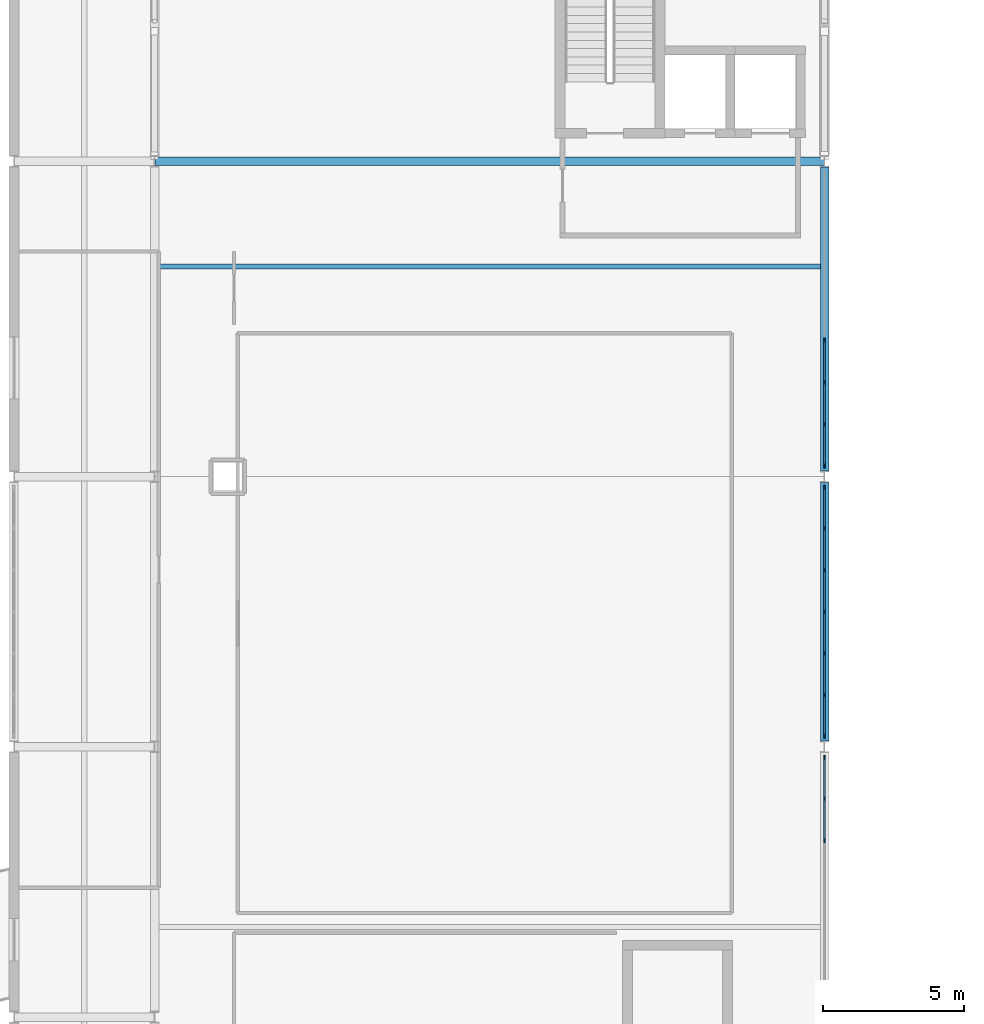
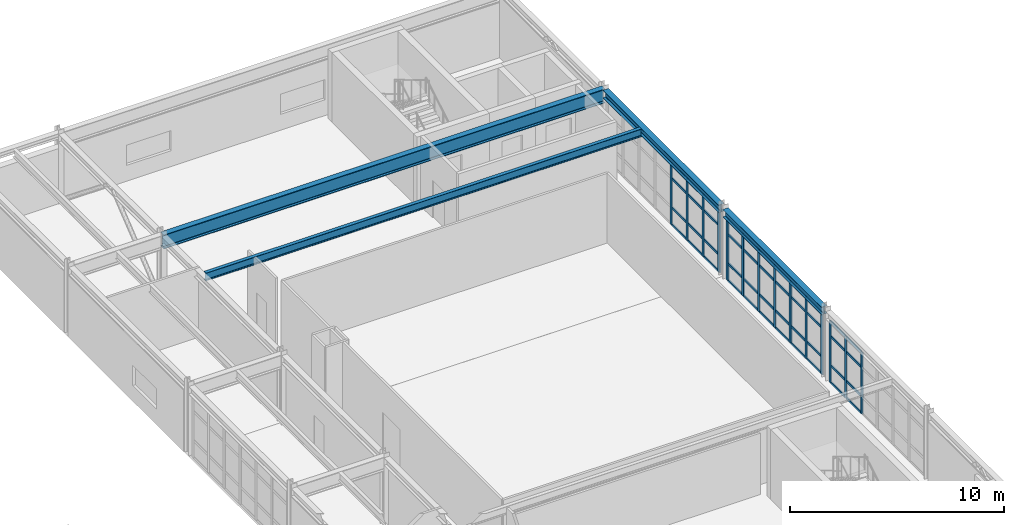
# One storey, part 41 of 88: 58 members, 4 beams, 3 elements without a shape of their own.
"""IFC4 building model written with IfcOpenShell, lengths in metres."""

from ifc_helpers import new_model, si_unit, direction, frame, origin, origin_2d, place, context, subcontext, project, spatial, rectangle, i_section, extrude, material, layer, layer_set, material_profile, profile_set, type_object, element, aggregate, save


model = new_model("IFC4")

# Units and contexts
model_context = context("Model", 3, precision=1e-05, world=origin(), true_north=direction((0.0, 1.0)))
body_context = subcontext(model_context, "Body", "Model", "MODEL_VIEW")
ifc_project = project(units=[si_unit("LENGTHUNIT", "METRE"), si_unit("AREAUNIT", "SQUARE_METRE"), si_unit("VOLUMEUNIT", "CUBIC_METRE"), si_unit("PLANEANGLEUNIT", "RADIAN"), si_unit("MASSUNIT", "GRAM", prefix="KILO")], contexts=[model_context])

# Site, building, storey
site_placement = place(None, origin())
site = spatial("IfcSite", under=ifc_project, at=site_placement, CompositionType="ELEMENT")
building_placement = place(site_placement, origin())
building = spatial("IfcBuilding", under=site, at=building_placement, Name="Nordkorset Police Headquarters", CompositionType="ELEMENT")
storey_placement = place(building_placement, frame((0.0, 0.0, 9.449951171875)))
storey = spatial("IfcBuildingStorey", under=building, at=storey_placement, Name="L02", CompositionType="ELEMENT", Elevation=9.449951171875)

# Beam
ifc_material_1 = material(Name="Steel S355J2", Category="steel")
ifc_material_profile_1 = material_profile(ifc_material_1, i_section(OverallWidth=0.18994140625, OverallDepth=0.449951171875, WebThickness=0.009521484375, FlangeThickness=0.0146484375, FilletRadius=0.02099609375, at=origin_2d()), Name="IPE 450")
ifc_profile_set_1 = profile_set([ifc_material_profile_1], Name="Steel S355J2")
beam_type_1 = type_object("IfcBeamType", Name="Beam_IPE_450", PredefinedType="BEAM", material=ifc_profile_set_1)
beam_1_placement = place(storey_placement, frame((91.550048828125, 84.2666015625, 3.7451171875), z_axis=(1.0, 0.0, 0.0), x_axis=(0.0, 1.0, 0.0)))
element("IfcBeam", 1, at=beam_1_placement, inside=storey, type_object=beam_type_1, Name="Composite Floor Beam V5 L02 1-3-2", PredefinedType="BEAM", context=body_context, shape_type="SweptSolid", body=[
    extrude(i_section(OverallWidth=0.18994140625, OverallDepth=0.449951171875, WebThickness=0.009521484375, FlangeThickness=0.0146484375, FilletRadius=0.02099609375, at=origin_2d()), origin(), (0.0, 0.0, 1.0), 23.5),
])

# Curtain wall, members
ifc_material_2 = material(Name="Aluminium alloy AW-6060", Category="aluminium")
ifc_layer_1 = layer(ifc_material_2, 0.179931640625, Name="Aluminium alloy AW-6060")
ifc_layer_set_1 = layer_set([ifc_layer_1], Name="Aluminium alloy AW-6060")
curtain_wall_type_1 = type_object("IfcCurtainWallType", Name="CW_Unit_888x351", PredefinedType="USERDEFINED", material=ifc_layer_set_1)
curtain_wall_1_placement = place(storey_placement, origin())
curtain_wall_1 = element("IfcCurtainWall", 2, at=curtain_wall_1_placement, inside=storey, type_object=curtain_wall_type_1, Name="Unitised Curtain Wall L02 V5E-1", ObjectType="UNITISED CURTAIN WALL", PredefinedType="USERDEFINED")
ifc_material_3 = material(Name="Aluminium alloy AW-6060", Category="aluminium")
ifc_material_profile_2 = material_profile(ifc_material_3, rectangle(XDim=0.06494140625, YDim=0.179931640625, at=origin_2d()), Name="ALU MULL 65x180")
ifc_profile_set_2 = profile_set([ifc_material_profile_2], Name="Aluminium alloy AW-6060")
member_type_1 = type_object("IfcMemberType", Name="CW_Mullion_65x180", PredefinedType="MULLION", material=ifc_profile_set_2)
member_1_placement = place(storey_placement, frame((115.199951171875, 63.8798828125, 0.0), z_axis=(0.0, 0.0, 1.0), x_axis=(-1.0, 0.0, 0.0)))
member_1 = element("IfcMember", 3, at=member_1_placement, type_object=member_type_1, Name="CW-58 mullion 5", PredefinedType="MULLION", context=body_context, shape_type="SweptSolid", body=[
    extrude(rectangle(XDim=0.06494140625, YDim=0.179931640625, at=origin_2d()), origin(), (0.0, 0.0, 1.0), 3.510009765625),
])
member_2_placement = place(storey_placement, frame((115.199951171875, 65.360107421875, 0.0), z_axis=(0.0, 0.0, 1.0), x_axis=(-1.0, 0.0, 0.0)))
member_2 = element("IfcMember", 4, at=member_2_placement, type_object=member_type_1, Name="CW-58 mullion 6", PredefinedType="MULLION", context=body_context, shape_type="SweptSolid", body=[
    extrude(rectangle(XDim=0.06494140625, YDim=0.179931640625, at=origin_2d()), origin(), (0.0, 0.0, 1.0), 3.510009765625),
])
member_3_placement = place(storey_placement, frame((115.199951171875, 66.8076171875, 0.0), z_axis=(0.0, 0.0, 1.0), x_axis=(-1.0, 0.0, 0.0)))
member_3 = element("IfcMember", 5, at=member_3_placement, type_object=member_type_1, Name="CW-58 mullion 7", PredefinedType="MULLION", context=body_context, shape_type="SweptSolid", body=[
    extrude(rectangle(XDim=0.06494140625, YDim=0.179931640625, at=origin_2d()), origin(), (0.0, 0.0, 1.0), 3.510009765625),
])

curtain_wall_2_placement = place(storey_placement, origin())
curtain_wall_2 = element("IfcCurtainWall", 6, at=curtain_wall_2_placement, inside=storey, type_object=curtain_wall_type_1, Name="Unitised Curtain Wall L02 V5E-2", ObjectType="UNITISED CURTAIN WALL", PredefinedType="USERDEFINED")
member_4_placement = place(storey_placement, frame((115.199951171875, 67.592529296875, 0.0), z_axis=(0.0, 0.0, 1.0), x_axis=(-1.0, 0.0, 0.0)))
member_4 = element("IfcMember", 7, at=member_4_placement, type_object=member_type_1, Name="CW-58 mullion 1", PredefinedType="MULLION", context=body_context, shape_type="SweptSolid", body=[
    extrude(rectangle(XDim=0.06494140625, YDim=0.179931640625, at=origin_2d()), origin(), (0.0, 0.0, 1.0), 3.510009765625),
])
member_5_placement = place(storey_placement, frame((115.199951171875, 69.0400390625, 0.0), z_axis=(0.0, 0.0, 1.0), x_axis=(-1.0, 0.0, 0.0)))
member_5 = element("IfcMember", 8, at=member_5_placement, type_object=member_type_1, Name="CW-58 mullion 2", PredefinedType="MULLION", context=body_context, shape_type="SweptSolid", body=[
    extrude(rectangle(XDim=0.06494140625, YDim=0.179931640625, at=origin_2d()), origin(), (0.0, 0.0, 1.0), 3.510009765625),
])
member_6_placement = place(storey_placement, frame((115.199951171875, 70.52001953125, 0.0), z_axis=(0.0, 0.0, 1.0), x_axis=(-1.0, 0.0, 0.0)))
member_6 = element("IfcMember", 9, at=member_6_placement, type_object=member_type_1, Name="CW-58 mullion 3", PredefinedType="MULLION", context=body_context, shape_type="SweptSolid", body=[
    extrude(rectangle(XDim=0.06494140625, YDim=0.179931640625, at=origin_2d()), origin(), (0.0, 0.0, 1.0), 3.510009765625),
])
member_7_placement = place(storey_placement, frame((115.199951171875, 72.0, 0.0), z_axis=(0.0, 0.0, 1.0), x_axis=(-1.0, 0.0, 0.0)))
member_7 = element("IfcMember", 10, at=member_7_placement, type_object=member_type_1, Name="CW-58 mullion 4", PredefinedType="MULLION", context=body_context, shape_type="SweptSolid", body=[
    extrude(rectangle(XDim=0.06494140625, YDim=0.179931640625, at=origin_2d()), origin(), (0.0, 0.0, 1.0), 3.510009765625),
])
member_8_placement = place(storey_placement, frame((115.199951171875, 73.47998046875, 0.0), z_axis=(0.0, 0.0, 1.0), x_axis=(-1.0, 0.0, 0.0)))
member_8 = element("IfcMember", 11, at=member_8_placement, type_object=member_type_1, Name="CW-58 mullion 5", PredefinedType="MULLION", context=body_context, shape_type="SweptSolid", body=[
    extrude(rectangle(XDim=0.06494140625, YDim=0.179931640625, at=origin_2d()), origin(), (0.0, 0.0, 1.0), 3.510009765625),
])
member_9_placement = place(storey_placement, frame((115.199951171875, 74.9599609375, 0.0), z_axis=(0.0, 0.0, 1.0), x_axis=(-1.0, 0.0, 0.0)))
member_9 = element("IfcMember", 12, at=member_9_placement, type_object=member_type_1, Name="CW-58 mullion 6", PredefinedType="MULLION", context=body_context, shape_type="SweptSolid", body=[
    extrude(rectangle(XDim=0.06494140625, YDim=0.179931640625, at=origin_2d()), origin(), (0.0, 0.0, 1.0), 3.510009765625),
])
member_10_placement = place(storey_placement, frame((115.199951171875, 76.407470703125, 0.0), z_axis=(0.0, 0.0, 1.0), x_axis=(-1.0, 0.0, 0.0)))
member_10 = element("IfcMember", 13, at=member_10_placement, type_object=member_type_1, Name="CW-58 mullion 7", PredefinedType="MULLION", context=body_context, shape_type="SweptSolid", body=[
    extrude(rectangle(XDim=0.06494140625, YDim=0.179931640625, at=origin_2d()), origin(), (0.0, 0.0, 1.0), 3.510009765625),
])

ifc_material_4 = material(Name="Aluminium alloy AW-6060", Category="aluminium")
ifc_layer_2 = layer(ifc_material_4, 0.179931640625, Name="Aluminium alloy AW-6060")
ifc_layer_set_2 = layer_set([ifc_layer_2], Name="Aluminium alloy AW-6060")
curtain_wall_type_2 = type_object("IfcCurtainWallType", Name="CW_Unit_1048x351", PredefinedType="USERDEFINED", material=ifc_layer_set_2)
curtain_wall_3_placement = place(storey_placement, origin())
curtain_wall_3 = element("IfcCurtainWall", 14, at=curtain_wall_3_placement, inside=storey, type_object=curtain_wall_type_2, Name="Unitised Curtain Wall L02 V5E-3", ObjectType="UNITISED CURTAIN WALL", PredefinedType="USERDEFINED")
member_11_placement = place(storey_placement, frame((115.199951171875, 77.1923828125, 0.0), z_axis=(0.0, 0.0, 1.0), x_axis=(-1.0, 0.0, 0.0)))
member_11 = element("IfcMember", 15, at=member_11_placement, type_object=member_type_1, Name="CW-72 mullion 1", PredefinedType="MULLION", context=body_context, shape_type="SweptSolid", body=[
    extrude(rectangle(XDim=0.06494140625, YDim=0.179931640625, at=origin_2d()), origin(), (0.0, 0.0, 1.0), 3.510009765625),
])
member_12_placement = place(storey_placement, frame((115.199951171875, 78.6572265625, 0.0), z_axis=(0.0, 0.0, 1.0), x_axis=(-1.0, 0.0, 0.0)))
member_12 = element("IfcMember", 16, at=member_12_placement, type_object=member_type_1, Name="CW-72 mullion 2", PredefinedType="MULLION", context=body_context, shape_type="SweptSolid", body=[
    extrude(rectangle(XDim=0.06494140625, YDim=0.179931640625, at=origin_2d()), origin(), (0.0, 0.0, 1.0), 3.510009765625),
])
member_13_placement = place(storey_placement, frame((115.199951171875, 80.154296875, 0.0), z_axis=(0.0, 0.0, 1.0), x_axis=(-1.0, 0.0, 0.0)))
member_13 = element("IfcMember", 17, at=member_13_placement, type_object=member_type_1, Name="CW-72 mullion 3", PredefinedType="MULLION", context=body_context, shape_type="SweptSolid", body=[
    extrude(rectangle(XDim=0.06494140625, YDim=0.179931640625, at=origin_2d()), origin(), (0.0, 0.0, 1.0), 3.510009765625),
])
member_14_placement = place(storey_placement, frame((115.199951171875, 81.6513671875, 0.0), z_axis=(0.0, 0.0, 1.0), x_axis=(-1.0, 0.0, 0.0)))
member_14 = element("IfcMember", 18, at=member_14_placement, type_object=member_type_1, Name="CW-72 mullion 4", PredefinedType="MULLION", context=body_context, shape_type="SweptSolid", body=[
    extrude(rectangle(XDim=0.06494140625, YDim=0.179931640625, at=origin_2d()), origin(), (0.0, 0.0, 1.0), 3.510009765625),
])

# Member
ifc_material_5 = material(Name="Aluminium alloy AW-6060", Category="aluminium")
ifc_material_profile_3 = material_profile(ifc_material_5, rectangle(XDim=0.06494140625, YDim=0.139892578125, at=origin_2d()), Name="ALU TRAN 65x140")
ifc_profile_set_3 = profile_set([ifc_material_profile_3], Name="Aluminium alloy AW-6060")
member_type_2 = type_object("IfcMemberType", Name="CW_Transom_65x140", PredefinedType="USERDEFINED", material=ifc_profile_set_3)
member_15_placement = place(storey_placement, frame((115.199951171875, 63.91259765625, 0.032470703125), z_axis=(0.0, 1.0, 0.0), x_axis=(-1.0, 0.0, 0.0)))
member_15 = element("IfcMember", 19, at=member_15_placement, type_object=member_type_2, Name="CW-58 transom 5.1", ObjectType="TRANSOM", PredefinedType="USERDEFINED", context=body_context, shape_type="SweptSolid", body=[
    extrude(rectangle(XDim=0.06494140625, YDim=0.139892578125, at=origin_2d()), origin(), (0.0, 0.0, 1.0), 1.414794921875),
])

member_16_placement = place(storey_placement, frame((115.199951171875, 63.91259765625, 1.0), z_axis=(0.0, 1.0, 0.0), x_axis=(-1.0, 0.0, 0.0)))
member_16 = element("IfcMember", 20, at=member_16_placement, type_object=member_type_2, Name="CW-58 transom 5.2", ObjectType="TRANSOM", PredefinedType="USERDEFINED", context=body_context, shape_type="SweptSolid", body=[
    extrude(rectangle(XDim=0.06494140625, YDim=0.139892578125, at=origin_2d()), origin(), (0.0, 0.0, 1.0), 1.414794921875),
])

member_17_placement = place(storey_placement, frame((115.199951171875, 63.91259765625, 2.66015625), z_axis=(0.0, 1.0, 0.0), x_axis=(-1.0, 0.0, 0.0)))
member_17 = element("IfcMember", 21, at=member_17_placement, type_object=member_type_2, Name="CW-58 transom 5.3", ObjectType="TRANSOM", PredefinedType="USERDEFINED", context=body_context, shape_type="SweptSolid", body=[
    extrude(rectangle(XDim=0.06494140625, YDim=0.139892578125, at=origin_2d()), origin(), (0.0, 0.0, 1.0), 1.414794921875),
])

member_18_placement = place(storey_placement, frame((115.199951171875, 63.91259765625, 3.4775390625), z_axis=(0.0, 1.0, 0.0), x_axis=(-1.0, 0.0, 0.0)))
member_18 = element("IfcMember", 22, at=member_18_placement, type_object=member_type_2, Name="CW-58 transom 5.4", ObjectType="TRANSOM", PredefinedType="USERDEFINED", context=body_context, shape_type="SweptSolid", body=[
    extrude(rectangle(XDim=0.06494140625, YDim=0.139892578125, at=origin_2d()), origin(), (0.0, 0.0, 1.0), 1.414794921875),
])

member_19_placement = place(storey_placement, frame((115.199951171875, 65.392578125, 0.032470703125), z_axis=(0.0, 1.0, 0.0), x_axis=(-1.0, 0.0, 0.0)))
member_19 = element("IfcMember", 23, at=member_19_placement, type_object=member_type_2, Name="CW-58 transom 6.1", ObjectType="TRANSOM", PredefinedType="USERDEFINED", context=body_context, shape_type="SweptSolid", body=[
    extrude(rectangle(XDim=0.06494140625, YDim=0.139892578125, at=origin_2d()), origin(), (0.0, 0.0, 1.0), 1.38232421875),
])

member_20_placement = place(storey_placement, frame((115.199951171875, 65.392578125, 1.0), z_axis=(0.0, 1.0, 0.0), x_axis=(-1.0, 0.0, 0.0)))
member_20 = element("IfcMember", 24, at=member_20_placement, type_object=member_type_2, Name="CW-58 transom 6.2", ObjectType="TRANSOM", PredefinedType="USERDEFINED", context=body_context, shape_type="SweptSolid", body=[
    extrude(rectangle(XDim=0.06494140625, YDim=0.139892578125, at=origin_2d()), origin(), (0.0, 0.0, 1.0), 1.38232421875),
])

member_21_placement = place(storey_placement, frame((115.199951171875, 65.392578125, 2.66015625), z_axis=(0.0, 1.0, 0.0), x_axis=(-1.0, 0.0, 0.0)))
member_21 = element("IfcMember", 25, at=member_21_placement, type_object=member_type_2, Name="CW-58 transom 6.3", ObjectType="TRANSOM", PredefinedType="USERDEFINED", context=body_context, shape_type="SweptSolid", body=[
    extrude(rectangle(XDim=0.06494140625, YDim=0.139892578125, at=origin_2d()), origin(), (0.0, 0.0, 1.0), 1.38232421875),
])

member_22_placement = place(storey_placement, frame((115.199951171875, 65.392578125, 3.4775390625), z_axis=(0.0, 1.0, 0.0), x_axis=(-1.0, 0.0, 0.0)))
member_22 = element("IfcMember", 26, at=member_22_placement, type_object=member_type_2, Name="CW-58 transom 6.4", ObjectType="TRANSOM", PredefinedType="USERDEFINED", context=body_context, shape_type="SweptSolid", body=[
    extrude(rectangle(XDim=0.06494140625, YDim=0.139892578125, at=origin_2d()), origin(), (0.0, 0.0, 1.0), 1.38232421875),
])

aggregate(curtain_wall_1, [member_1, member_2, member_3, member_15, member_16, member_17, member_18, member_19, member_20, member_21, member_22])

member_23_placement = place(storey_placement, frame((115.199951171875, 67.625, 0.032470703125), z_axis=(0.0, 1.0, 0.0), x_axis=(-1.0, 0.0, 0.0)))
member_23 = element("IfcMember", 27, at=member_23_placement, type_object=member_type_2, Name="CW-58 transom 1.1", ObjectType="TRANSOM", PredefinedType="USERDEFINED", context=body_context, shape_type="SweptSolid", body=[
    extrude(rectangle(XDim=0.06494140625, YDim=0.139892578125, at=origin_2d()), origin(), (0.0, 0.0, 1.0), 1.382568359375),
])

member_24_placement = place(storey_placement, frame((115.199951171875, 67.625, 1.0), z_axis=(0.0, 1.0, 0.0), x_axis=(-1.0, 0.0, 0.0)))
member_24 = element("IfcMember", 28, at=member_24_placement, type_object=member_type_2, Name="CW-58 transom 1.2", ObjectType="TRANSOM", PredefinedType="USERDEFINED", context=body_context, shape_type="SweptSolid", body=[
    extrude(rectangle(XDim=0.06494140625, YDim=0.139892578125, at=origin_2d()), origin(), (0.0, 0.0, 1.0), 1.382568359375),
])

member_25_placement = place(storey_placement, frame((115.199951171875, 67.625, 2.66015625), z_axis=(0.0, 1.0, 0.0), x_axis=(-1.0, 0.0, 0.0)))
member_25 = element("IfcMember", 29, at=member_25_placement, type_object=member_type_2, Name="CW-58 transom 1.3", ObjectType="TRANSOM", PredefinedType="USERDEFINED", context=body_context, shape_type="SweptSolid", body=[
    extrude(rectangle(XDim=0.06494140625, YDim=0.139892578125, at=origin_2d()), origin(), (0.0, 0.0, 1.0), 1.382568359375),
])

member_26_placement = place(storey_placement, frame((115.199951171875, 67.625, 3.4775390625), z_axis=(0.0, 1.0, 0.0), x_axis=(-1.0, 0.0, 0.0)))
member_26 = element("IfcMember", 30, at=member_26_placement, type_object=member_type_2, Name="CW-58 transom 1.4", ObjectType="TRANSOM", PredefinedType="USERDEFINED", context=body_context, shape_type="SweptSolid", body=[
    extrude(rectangle(XDim=0.06494140625, YDim=0.139892578125, at=origin_2d()), origin(), (0.0, 0.0, 1.0), 1.382568359375),
])

member_27_placement = place(storey_placement, frame((115.199951171875, 69.072509765625, 0.032470703125), z_axis=(0.0, 1.0, 0.0), x_axis=(-1.0, 0.0, 0.0)))
member_27 = element("IfcMember", 31, at=member_27_placement, type_object=member_type_2, Name="CW-58 transom 2.1", ObjectType="TRANSOM", PredefinedType="USERDEFINED", context=body_context, shape_type="SweptSolid", body=[
    extrude(rectangle(XDim=0.06494140625, YDim=0.139892578125, at=origin_2d()), origin(), (0.0, 0.0, 1.0), 1.4150390625),
])

member_28_placement = place(storey_placement, frame((115.199951171875, 69.072509765625, 1.0), z_axis=(0.0, 1.0, 0.0), x_axis=(-1.0, 0.0, 0.0)))
member_28 = element("IfcMember", 32, at=member_28_placement, type_object=member_type_2, Name="CW-58 transom 2.2", ObjectType="TRANSOM", PredefinedType="USERDEFINED", context=body_context, shape_type="SweptSolid", body=[
    extrude(rectangle(XDim=0.06494140625, YDim=0.139892578125, at=origin_2d()), origin(), (0.0, 0.0, 1.0), 1.4150390625),
])

member_29_placement = place(storey_placement, frame((115.199951171875, 69.072509765625, 2.66015625), z_axis=(0.0, 1.0, 0.0), x_axis=(-1.0, 0.0, 0.0)))
member_29 = element("IfcMember", 33, at=member_29_placement, type_object=member_type_2, Name="CW-58 transom 2.3", ObjectType="TRANSOM", PredefinedType="USERDEFINED", context=body_context, shape_type="SweptSolid", body=[
    extrude(rectangle(XDim=0.06494140625, YDim=0.139892578125, at=origin_2d()), origin(), (0.0, 0.0, 1.0), 1.4150390625),
])

member_30_placement = place(storey_placement, frame((115.199951171875, 69.072509765625, 3.4775390625), z_axis=(0.0, 1.0, 0.0), x_axis=(-1.0, 0.0, 0.0)))
member_30 = element("IfcMember", 34, at=member_30_placement, type_object=member_type_2, Name="CW-58 transom 2.4", ObjectType="TRANSOM", PredefinedType="USERDEFINED", context=body_context, shape_type="SweptSolid", body=[
    extrude(rectangle(XDim=0.06494140625, YDim=0.139892578125, at=origin_2d()), origin(), (0.0, 0.0, 1.0), 1.4150390625),
])

member_31_placement = place(storey_placement, frame((115.199951171875, 70.552490234375, 0.032470703125), z_axis=(0.0, 1.0, 0.0), x_axis=(-1.0, 0.0, 0.0)))
member_31 = element("IfcMember", 35, at=member_31_placement, type_object=member_type_2, Name="CW-58 transom 3.1", ObjectType="TRANSOM", PredefinedType="USERDEFINED", context=body_context, shape_type="SweptSolid", body=[
    extrude(rectangle(XDim=0.06494140625, YDim=0.139892578125, at=origin_2d()), origin(), (0.0, 0.0, 1.0), 1.4150390625),
])

member_32_placement = place(storey_placement, frame((115.199951171875, 70.552490234375, 1.0), z_axis=(0.0, 1.0, 0.0), x_axis=(-1.0, 0.0, 0.0)))
member_32 = element("IfcMember", 36, at=member_32_placement, type_object=member_type_2, Name="CW-58 transom 3.2", ObjectType="TRANSOM", PredefinedType="USERDEFINED", context=body_context, shape_type="SweptSolid", body=[
    extrude(rectangle(XDim=0.06494140625, YDim=0.139892578125, at=origin_2d()), origin(), (0.0, 0.0, 1.0), 1.4150390625),
])

member_33_placement = place(storey_placement, frame((115.199951171875, 70.552490234375, 2.66015625), z_axis=(0.0, 1.0, 0.0), x_axis=(-1.0, 0.0, 0.0)))
member_33 = element("IfcMember", 37, at=member_33_placement, type_object=member_type_2, Name="CW-58 transom 3.3", ObjectType="TRANSOM", PredefinedType="USERDEFINED", context=body_context, shape_type="SweptSolid", body=[
    extrude(rectangle(XDim=0.06494140625, YDim=0.139892578125, at=origin_2d()), origin(), (0.0, 0.0, 1.0), 1.4150390625),
])

member_34_placement = place(storey_placement, frame((115.199951171875, 70.552490234375, 3.4775390625), z_axis=(0.0, 1.0, 0.0), x_axis=(-1.0, 0.0, 0.0)))
member_34 = element("IfcMember", 38, at=member_34_placement, type_object=member_type_2, Name="CW-58 transom 3.4", ObjectType="TRANSOM", PredefinedType="USERDEFINED", context=body_context, shape_type="SweptSolid", body=[
    extrude(rectangle(XDim=0.06494140625, YDim=0.139892578125, at=origin_2d()), origin(), (0.0, 0.0, 1.0), 1.4150390625),
])

member_35_placement = place(storey_placement, frame((115.199951171875, 72.032470703125, 0.032470703125), z_axis=(0.0, 1.0, 0.0), x_axis=(-1.0, 0.0, 0.0)))
member_35 = element("IfcMember", 39, at=member_35_placement, type_object=member_type_2, Name="CW-58 transom 4.1", ObjectType="TRANSOM", PredefinedType="USERDEFINED", context=body_context, shape_type="SweptSolid", body=[
    extrude(rectangle(XDim=0.06494140625, YDim=0.139892578125, at=origin_2d()), origin(), (0.0, 0.0, 1.0), 1.4150390625),
])

member_36_placement = place(storey_placement, frame((115.199951171875, 72.032470703125, 1.0), z_axis=(0.0, 1.0, 0.0), x_axis=(-1.0, 0.0, 0.0)))
member_36 = element("IfcMember", 40, at=member_36_placement, type_object=member_type_2, Name="CW-58 transom 4.2", ObjectType="TRANSOM", PredefinedType="USERDEFINED", context=body_context, shape_type="SweptSolid", body=[
    extrude(rectangle(XDim=0.06494140625, YDim=0.139892578125, at=origin_2d()), origin(), (0.0, 0.0, 1.0), 1.4150390625),
])

member_37_placement = place(storey_placement, frame((115.199951171875, 72.032470703125, 2.66015625), z_axis=(0.0, 1.0, 0.0), x_axis=(-1.0, 0.0, 0.0)))
member_37 = element("IfcMember", 41, at=member_37_placement, type_object=member_type_2, Name="CW-58 transom 4.3", ObjectType="TRANSOM", PredefinedType="USERDEFINED", context=body_context, shape_type="SweptSolid", body=[
    extrude(rectangle(XDim=0.06494140625, YDim=0.139892578125, at=origin_2d()), origin(), (0.0, 0.0, 1.0), 1.4150390625),
])

member_38_placement = place(storey_placement, frame((115.199951171875, 72.032470703125, 3.4775390625), z_axis=(0.0, 1.0, 0.0), x_axis=(-1.0, 0.0, 0.0)))
member_38 = element("IfcMember", 42, at=member_38_placement, type_object=member_type_2, Name="CW-58 transom 4.4", ObjectType="TRANSOM", PredefinedType="USERDEFINED", context=body_context, shape_type="SweptSolid", body=[
    extrude(rectangle(XDim=0.06494140625, YDim=0.139892578125, at=origin_2d()), origin(), (0.0, 0.0, 1.0), 1.4150390625),
])

member_39_placement = place(storey_placement, frame((115.199951171875, 73.512451171875, 0.032470703125), z_axis=(0.0, 1.0, 0.0), x_axis=(-1.0, 0.0, 0.0)))
member_39 = element("IfcMember", 43, at=member_39_placement, type_object=member_type_2, Name="CW-58 transom 5.1", ObjectType="TRANSOM", PredefinedType="USERDEFINED", context=body_context, shape_type="SweptSolid", body=[
    extrude(rectangle(XDim=0.06494140625, YDim=0.139892578125, at=origin_2d()), origin(), (0.0, 0.0, 1.0), 1.4150390625),
])

member_40_placement = place(storey_placement, frame((115.199951171875, 73.512451171875, 1.0), z_axis=(0.0, 1.0, 0.0), x_axis=(-1.0, 0.0, 0.0)))
member_40 = element("IfcMember", 44, at=member_40_placement, type_object=member_type_2, Name="CW-58 transom 5.2", ObjectType="TRANSOM", PredefinedType="USERDEFINED", context=body_context, shape_type="SweptSolid", body=[
    extrude(rectangle(XDim=0.06494140625, YDim=0.139892578125, at=origin_2d()), origin(), (0.0, 0.0, 1.0), 1.4150390625),
])

member_41_placement = place(storey_placement, frame((115.199951171875, 73.512451171875, 2.66015625), z_axis=(0.0, 1.0, 0.0), x_axis=(-1.0, 0.0, 0.0)))
member_41 = element("IfcMember", 45, at=member_41_placement, type_object=member_type_2, Name="CW-58 transom 5.3", ObjectType="TRANSOM", PredefinedType="USERDEFINED", context=body_context, shape_type="SweptSolid", body=[
    extrude(rectangle(XDim=0.06494140625, YDim=0.139892578125, at=origin_2d()), origin(), (0.0, 0.0, 1.0), 1.4150390625),
])

member_42_placement = place(storey_placement, frame((115.199951171875, 73.512451171875, 3.4775390625), z_axis=(0.0, 1.0, 0.0), x_axis=(-1.0, 0.0, 0.0)))
member_42 = element("IfcMember", 46, at=member_42_placement, type_object=member_type_2, Name="CW-58 transom 5.4", ObjectType="TRANSOM", PredefinedType="USERDEFINED", context=body_context, shape_type="SweptSolid", body=[
    extrude(rectangle(XDim=0.06494140625, YDim=0.139892578125, at=origin_2d()), origin(), (0.0, 0.0, 1.0), 1.4150390625),
])

member_43_placement = place(storey_placement, frame((115.199951171875, 74.992431640625, 0.032470703125), z_axis=(0.0, 1.0, 0.0), x_axis=(-1.0, 0.0, 0.0)))
member_43 = element("IfcMember", 47, at=member_43_placement, type_object=member_type_2, Name="CW-58 transom 6.1", ObjectType="TRANSOM", PredefinedType="USERDEFINED", context=body_context, shape_type="SweptSolid", body=[
    extrude(rectangle(XDim=0.06494140625, YDim=0.139892578125, at=origin_2d()), origin(), (0.0, 0.0, 1.0), 1.382568359375),
])

member_44_placement = place(storey_placement, frame((115.199951171875, 74.992431640625, 1.0), z_axis=(0.0, 1.0, 0.0), x_axis=(-1.0, 0.0, 0.0)))
member_44 = element("IfcMember", 48, at=member_44_placement, type_object=member_type_2, Name="CW-58 transom 6.2", ObjectType="TRANSOM", PredefinedType="USERDEFINED", context=body_context, shape_type="SweptSolid", body=[
    extrude(rectangle(XDim=0.06494140625, YDim=0.139892578125, at=origin_2d()), origin(), (0.0, 0.0, 1.0), 1.382568359375),
])

member_45_placement = place(storey_placement, frame((115.199951171875, 74.992431640625, 2.66015625), z_axis=(0.0, 1.0, 0.0), x_axis=(-1.0, 0.0, 0.0)))
member_45 = element("IfcMember", 49, at=member_45_placement, type_object=member_type_2, Name="CW-58 transom 6.3", ObjectType="TRANSOM", PredefinedType="USERDEFINED", context=body_context, shape_type="SweptSolid", body=[
    extrude(rectangle(XDim=0.06494140625, YDim=0.139892578125, at=origin_2d()), origin(), (0.0, 0.0, 1.0), 1.382568359375),
])

member_46_placement = place(storey_placement, frame((115.199951171875, 74.992431640625, 3.4775390625), z_axis=(0.0, 1.0, 0.0), x_axis=(-1.0, 0.0, 0.0)))
member_46 = element("IfcMember", 50, at=member_46_placement, type_object=member_type_2, Name="CW-58 transom 6.4", ObjectType="TRANSOM", PredefinedType="USERDEFINED", context=body_context, shape_type="SweptSolid", body=[
    extrude(rectangle(XDim=0.06494140625, YDim=0.139892578125, at=origin_2d()), origin(), (0.0, 0.0, 1.0), 1.382568359375),
])

aggregate(curtain_wall_2, [member_4, member_5, member_6, member_7, member_8, member_9, member_10, member_23, member_24, member_25, member_26, member_27, member_28, member_29, member_30, member_31, member_32, member_33, member_34, member_35, member_36, member_37, member_38, member_39, member_40, member_41, member_42, member_43, member_44, member_45, member_46])

member_47_placement = place(storey_placement, frame((115.199951171875, 77.22509765625, 0.032470703125), z_axis=(0.0, 1.0, 0.0), x_axis=(-1.0, 0.0, 0.0)))
member_47 = element("IfcMember", 51, at=member_47_placement, type_object=member_type_2, Name="CW-72 transom 1.1", ObjectType="TRANSOM", PredefinedType="USERDEFINED", context=body_context, shape_type="SweptSolid", body=[
    extrude(rectangle(XDim=0.06494140625, YDim=0.139892578125, at=origin_2d()), origin(), (0.0, 0.0, 1.0), 1.399658203125),
])

member_48_placement = place(storey_placement, frame((115.199951171875, 77.22509765625, 1.0), z_axis=(0.0, 1.0, 0.0), x_axis=(-1.0, 0.0, 0.0)))
member_48 = element("IfcMember", 52, at=member_48_placement, type_object=member_type_2, Name="CW-72 transom 1.2", ObjectType="TRANSOM", PredefinedType="USERDEFINED", context=body_context, shape_type="SweptSolid", body=[
    extrude(rectangle(XDim=0.06494140625, YDim=0.139892578125, at=origin_2d()), origin(), (0.0, 0.0, 1.0), 1.399658203125),
])

member_49_placement = place(storey_placement, frame((115.199951171875, 77.22509765625, 2.66015625), z_axis=(0.0, 1.0, 0.0), x_axis=(-1.0, 0.0, 0.0)))
member_49 = element("IfcMember", 53, at=member_49_placement, type_object=member_type_2, Name="CW-72 transom 1.3", ObjectType="TRANSOM", PredefinedType="USERDEFINED", context=body_context, shape_type="SweptSolid", body=[
    extrude(rectangle(XDim=0.06494140625, YDim=0.139892578125, at=origin_2d()), origin(), (0.0, 0.0, 1.0), 1.399658203125),
])

member_50_placement = place(storey_placement, frame((115.199951171875, 77.22509765625, 3.4775390625), z_axis=(0.0, 1.0, 0.0), x_axis=(-1.0, 0.0, 0.0)))
member_50 = element("IfcMember", 54, at=member_50_placement, type_object=member_type_2, Name="CW-72 transom 1.4", ObjectType="TRANSOM", PredefinedType="USERDEFINED", context=body_context, shape_type="SweptSolid", body=[
    extrude(rectangle(XDim=0.06494140625, YDim=0.139892578125, at=origin_2d()), origin(), (0.0, 0.0, 1.0), 1.399658203125),
])

member_51_placement = place(storey_placement, frame((115.199951171875, 78.689697265625, 0.032470703125), z_axis=(0.0, 1.0, 0.0), x_axis=(-1.0, 0.0, 0.0)))
member_51 = element("IfcMember", 55, at=member_51_placement, type_object=member_type_2, Name="CW-72 transom 2.1", ObjectType="TRANSOM", PredefinedType="USERDEFINED", context=body_context, shape_type="SweptSolid", body=[
    extrude(rectangle(XDim=0.06494140625, YDim=0.139892578125, at=origin_2d()), origin(), (0.0, 0.0, 1.0), 1.43212890625),
])

member_52_placement = place(storey_placement, frame((115.199951171875, 78.689697265625, 1.0), z_axis=(0.0, 1.0, 0.0), x_axis=(-1.0, 0.0, 0.0)))
member_52 = element("IfcMember", 56, at=member_52_placement, type_object=member_type_2, Name="CW-72 transom 2.2", ObjectType="TRANSOM", PredefinedType="USERDEFINED", context=body_context, shape_type="SweptSolid", body=[
    extrude(rectangle(XDim=0.06494140625, YDim=0.139892578125, at=origin_2d()), origin(), (0.0, 0.0, 1.0), 1.43212890625),
])

member_53_placement = place(storey_placement, frame((115.199951171875, 78.689697265625, 2.66015625), z_axis=(0.0, 1.0, 0.0), x_axis=(-1.0, 0.0, 0.0)))
member_53 = element("IfcMember", 57, at=member_53_placement, type_object=member_type_2, Name="CW-72 transom 2.3", ObjectType="TRANSOM", PredefinedType="USERDEFINED", context=body_context, shape_type="SweptSolid", body=[
    extrude(rectangle(XDim=0.06494140625, YDim=0.139892578125, at=origin_2d()), origin(), (0.0, 0.0, 1.0), 1.43212890625),
])

member_54_placement = place(storey_placement, frame((115.199951171875, 78.689697265625, 3.4775390625), z_axis=(0.0, 1.0, 0.0), x_axis=(-1.0, 0.0, 0.0)))
member_54 = element("IfcMember", 58, at=member_54_placement, type_object=member_type_2, Name="CW-72 transom 2.4", ObjectType="TRANSOM", PredefinedType="USERDEFINED", context=body_context, shape_type="SweptSolid", body=[
    extrude(rectangle(XDim=0.06494140625, YDim=0.139892578125, at=origin_2d()), origin(), (0.0, 0.0, 1.0), 1.43212890625),
])

member_55_placement = place(storey_placement, frame((115.199951171875, 80.186767578125, 0.032470703125), z_axis=(0.0, 1.0, 0.0), x_axis=(-1.0, 0.0, 0.0)))
member_55 = element("IfcMember", 59, at=member_55_placement, type_object=member_type_2, Name="CW-72 transom 3.1", ObjectType="TRANSOM", PredefinedType="USERDEFINED", context=body_context, shape_type="SweptSolid", body=[
    extrude(rectangle(XDim=0.06494140625, YDim=0.139892578125, at=origin_2d()), origin(), (0.0, 0.0, 1.0), 1.43212890625),
])

member_56_placement = place(storey_placement, frame((115.199951171875, 80.186767578125, 1.0), z_axis=(0.0, 1.0, 0.0), x_axis=(-1.0, 0.0, 0.0)))
member_56 = element("IfcMember", 60, at=member_56_placement, type_object=member_type_2, Name="CW-72 transom 3.2", ObjectType="TRANSOM", PredefinedType="USERDEFINED", context=body_context, shape_type="SweptSolid", body=[
    extrude(rectangle(XDim=0.06494140625, YDim=0.139892578125, at=origin_2d()), origin(), (0.0, 0.0, 1.0), 1.43212890625),
])

member_57_placement = place(storey_placement, frame((115.199951171875, 80.186767578125, 2.66015625), z_axis=(0.0, 1.0, 0.0), x_axis=(-1.0, 0.0, 0.0)))
member_57 = element("IfcMember", 61, at=member_57_placement, type_object=member_type_2, Name="CW-72 transom 3.3", ObjectType="TRANSOM", PredefinedType="USERDEFINED", context=body_context, shape_type="SweptSolid", body=[
    extrude(rectangle(XDim=0.06494140625, YDim=0.139892578125, at=origin_2d()), origin(), (0.0, 0.0, 1.0), 1.43212890625),
])

member_58_placement = place(storey_placement, frame((115.199951171875, 80.186767578125, 3.4775390625), z_axis=(0.0, 1.0, 0.0), x_axis=(-1.0, 0.0, 0.0)))
member_58 = element("IfcMember", 62, at=member_58_placement, type_object=member_type_2, Name="CW-72 transom 3.4", ObjectType="TRANSOM", PredefinedType="USERDEFINED", context=body_context, shape_type="SweptSolid", body=[
    extrude(rectangle(XDim=0.06494140625, YDim=0.139892578125, at=origin_2d()), origin(), (0.0, 0.0, 1.0), 1.43212890625),
])

aggregate(curtain_wall_3, [member_11, member_12, member_13, member_14, member_47, member_48, member_49, member_50, member_51, member_52, member_53, member_54, member_55, member_56, member_57, member_58])

# Beams
ifc_material_6 = material(Name="Steel S355J2", Category="steel")
ifc_material_profile_4 = material_profile(ifc_material_6, i_section(OverallWidth=0.300048828125, OverallDepth=0.43994140625, WebThickness=0.011474609375, FlangeThickness=0.02099609375, FilletRadius=0.027099609375, at=origin_2d()), Name="HEA 450")
ifc_profile_set_4 = profile_set([ifc_material_profile_4], Name="Steel S355J2")
beam_type_2 = type_object("IfcBeamType", Name="Girder_HEA_450", PredefinedType="USERDEFINED", material=ifc_profile_set_4)
beam_2_placement = place(storey_placement, frame((115.199951171875, 67.39990234375, 3.75), z_axis=(0.0, 1.0, 0.0), x_axis=(-1.0, 0.0, 0.0)))
element("IfcBeam", 63, at=beam_2_placement, inside=storey, type_object=beam_type_2, Name="Girder V5 L02 GY-2-2", ObjectType="GIRDER", PredefinedType="USERDEFINED", context=body_context, shape_type="SweptSolid", body=[
    extrude(i_section(OverallWidth=0.300048828125, OverallDepth=0.43994140625, WebThickness=0.011474609375, FlangeThickness=0.02099609375, FilletRadius=0.027099609375, at=origin_2d()), origin(), (0.0, 0.0, 1.0), 9.2001953125),
])
beam_3_placement = place(storey_placement, frame((115.199951171875, 77.0, 3.75), z_axis=(0.0, 1.0, 0.0), x_axis=(-1.0, 0.0, 0.0)))
element("IfcBeam", 64, at=beam_3_placement, inside=storey, type_object=beam_type_2, Name="Girder V5 L02 GY-2-3", ObjectType="GIRDER", PredefinedType="USERDEFINED", context=body_context, shape_type="SweptSolid", body=[
    extrude(i_section(OverallWidth=0.300048828125, OverallDepth=0.43994140625, WebThickness=0.011474609375, FlangeThickness=0.02099609375, FilletRadius=0.027099609375, at=origin_2d()), origin(), (0.0, 0.0, 1.0), 10.800048828125),
])
ifc_material_7 = material(Name="Steel S355J2", Category="steel")
ifc_material_profile_5 = material_profile(ifc_material_7, i_section(OverallWidth=0.300048828125, OverallDepth=0.800048828125, WebThickness=0.017578125, FlangeThickness=0.032958984375, FilletRadius=0.030029296875, at=origin_2d()), Name="HEB 800")
ifc_profile_set_5 = profile_set([ifc_material_profile_5], Name="Steel S355J2")
beam_type_3 = type_object("IfcBeamType", Name="Girder_HEB_800", PredefinedType="USERDEFINED", material=ifc_profile_set_5)
beam_4_placement = place(storey_placement, frame((91.40673828125, 88.0, 3.56494140625), z_axis=(1.0, 0.0, 0.0), x_axis=(0.0, 1.0, 0.0)))
element("IfcBeam", 65, at=beam_4_placement, inside=storey, type_object=beam_type_3, Name="Girder V5 L02 GX-4-1", ObjectType="GIRDER", PredefinedType="USERDEFINED", context=body_context, shape_type="SweptSolid", body=[
    extrude(i_section(OverallWidth=0.300048828125, OverallDepth=0.800048828125, WebThickness=0.017578125, FlangeThickness=0.032958984375, FilletRadius=0.030029296875, at=origin_2d()), origin(), (0.0, 0.0, 1.0), 23.78662109375),
])

save(model, "model.ifc")
